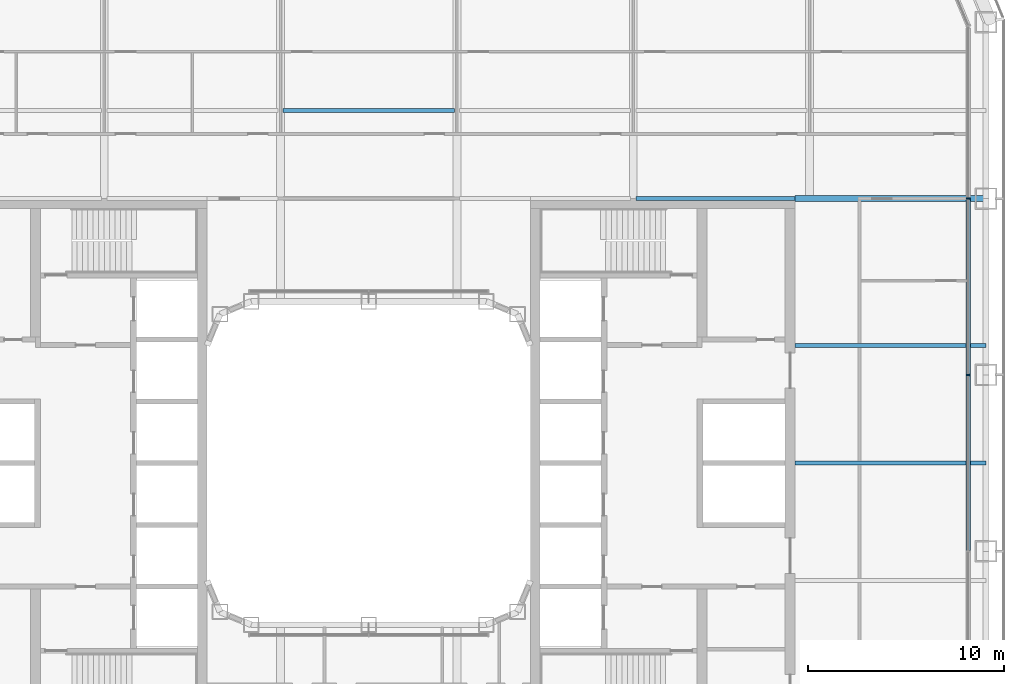
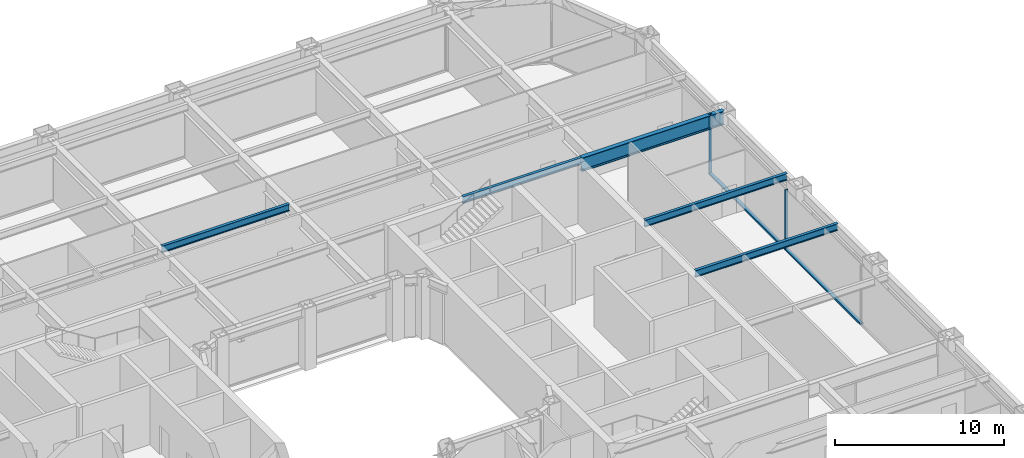
# One storey, part 9 of 29: 5 beams, 4 members, 1 element without a shape of its own.
"""IFC4 building model written with IfcOpenShell, lengths in metres."""

from ifc_helpers import new_model, si_unit, direction, frame, origin, origin_2d, place, context, subcontext, project, spatial, rectangle, i_section, extrude, material, layer, layer_set, material_profile, profile_set, type_object, element, aggregate, save


model = new_model("IFC4")

# Units and contexts
model_context = context("Model", 3, precision=1e-05, world=origin(), true_north=direction((0.0, 1.0)))
body_context = subcontext(model_context, "Body", "Model", "MODEL_VIEW")
ifc_project = project(units=[si_unit("LENGTHUNIT", "METRE"), si_unit("AREAUNIT", "SQUARE_METRE"), si_unit("VOLUMEUNIT", "CUBIC_METRE"), si_unit("PLANEANGLEUNIT", "RADIAN"), si_unit("MASSUNIT", "GRAM", prefix="KILO")], contexts=[model_context])

# Site, building, storey
site_placement = place(None, origin())
site = spatial("IfcSite", under=ifc_project, at=site_placement, CompositionType="ELEMENT")
building_placement = place(site_placement, origin())
building = spatial("IfcBuilding", under=site, at=building_placement, Name="Siwar Civic Tower", CompositionType="ELEMENT")
storey_placement = place(building_placement, frame((0.0, 0.0, 49.199951171875)))
storey = spatial("IfcBuildingStorey", under=building, at=storey_placement, Name="L10", CompositionType="ELEMENT", Elevation=49.199951171875)

# Curtain wall, members
ifc_material_1 = material(Name="Aluminium and glass", Category="aluminium")
ifc_layer = layer(ifc_material_1, 0.219970703125)
ifc_layer_set = layer_set([ifc_layer], Name="Aluminium and glass")
curtain_wall_type = type_object("IfcCurtainWallType", Name="ENV-CW-A", PredefinedType="NOTDEFINED", material=ifc_layer_set)
curtain_wall_placement = place(storey_placement, origin())
curtain_wall = element("IfcCurtainWall", 1, at=curtain_wall_placement, inside=storey, type_object=curtain_wall_type, Name="Curtain wall A E", PredefinedType="NOTDEFINED")
ifc_material_2 = material(Name="Aluminium 6063-T6", Category="aluminium")
ifc_material_profile_1 = material_profile(ifc_material_2, rectangle(XDim=0.219970703125, YDim=0.070068359375, at=origin_2d()), Name="AL 220x70")
ifc_profile_set_1 = profile_set([ifc_material_profile_1], Name="Aluminium 6063-T6")
member_type_1 = type_object("IfcMemberType", Name="ENV-MULLION-A", PredefinedType="MULLION", material=ifc_profile_set_1)
member_1_placement = place(storey_placement, frame((30.60009765625, 4.5, 0.0), z_axis=(0.0, 0.0, 1.0), x_axis=(-1.0, 0.0, 0.0)))
member_1 = element("IfcMember", 2, at=member_1_placement, type_object=member_type_1, Name="Mullion A E 4", PredefinedType="MULLION", context=body_context, shape_type="SweptSolid", body=[
    extrude(rectangle(XDim=0.219970703125, YDim=0.070068359375, at=origin_2d()), origin(), (0.0, 0.0, 1.0), 4.35009765625),
])
member_2_placement = place(storey_placement, frame((30.60009765625, 13.5, 0.0), z_axis=(0.0, 0.0, 1.0), x_axis=(-1.0, 0.0, 0.0)))
member_2 = element("IfcMember", 3, at=member_2_placement, type_object=member_type_1, Name="Mullion A E 5", PredefinedType="MULLION", context=body_context, shape_type="SweptSolid", body=[
    extrude(rectangle(XDim=0.219970703125, YDim=0.070068359375, at=origin_2d()), origin(), (0.0, 0.0, 1.0), 4.35009765625),
])
ifc_material_3 = material(Name="Aluminium 6063-T6", Category="aluminium")
ifc_material_profile_2 = material_profile(ifc_material_3, rectangle(XDim=0.219970703125, YDim=0.1201171875, at=origin_2d()), Name="AL 220x120")
ifc_profile_set_2 = profile_set([ifc_material_profile_2], Name="Aluminium 6063-T6")
member_type_2 = type_object("IfcMemberType", Name="ENV-TRANSOM-A", PredefinedType="USERDEFINED", material=ifc_profile_set_2)
member_3_placement = place(storey_placement, frame((30.60009765625, -4.465087890625, 0.06005859375), z_axis=(0.0, 1.0, 0.0), x_axis=(-1.0, 0.0, 0.0)))
member_3 = element("IfcMember", 4, at=member_3_placement, type_object=member_type_2, Name="Transom A E 3", ObjectType="TRANSOM", PredefinedType="USERDEFINED", context=body_context, shape_type="SweptSolid", body=[
    extrude(rectangle(XDim=0.219970703125, YDim=0.1201171875, at=origin_2d()), origin(), (0.0, 0.0, 1.0), 8.93017578125),
])
member_4_placement = place(storey_placement, frame((30.60009765625, 4.534912109375, 0.06005859375), z_axis=(0.0, 1.0, 0.0), x_axis=(-1.0, 0.0, 0.0)))
member_4 = element("IfcMember", 5, at=member_4_placement, type_object=member_type_2, Name="Transom A E 4", ObjectType="TRANSOM", PredefinedType="USERDEFINED", context=body_context, shape_type="SweptSolid", body=[
    extrude(rectangle(XDim=0.219970703125, YDim=0.1201171875, at=origin_2d()), origin(), (0.0, 0.0, 1.0), 8.93017578125),
])
aggregate(curtain_wall, [member_1, member_2, member_3, member_4])

# Beams
ifc_material_4 = material(Name="Steel S355", Category="steel")
ifc_material_profile_3 = material_profile(ifc_material_4, i_section(OverallWidth=0.199951171875, OverallDepth=0.5, WebThickness=0.01025390625, FlangeThickness=0.01611328125, FilletRadius=0.02099609375, at=origin_2d()), Name="IPE500")
ifc_profile_set_3 = profile_set([ifc_material_profile_3], Name="Steel S355")
beam_type_1 = type_object("IfcBeamType", Name="STR-FB-IPE500", PredefinedType="JOIST", material=ifc_profile_set_3)
for number, where, z_axis, x_axis, name in (
    (6, (21.75, 0.0, 4.10009765625), (1.0, 0.0, 0.0), (0.0, 1.0, 0.0), "L10/bm/F034"),
    (7, (21.75, 6.0, 4.10009765625), (1.0, 0.0, 0.0), (0.0, 1.0, 0.0), "L10/bm/F036"),
):
    element("IfcBeam", number, at=place(storey_placement, frame(where, z_axis=z_axis, x_axis=x_axis)), inside=storey, type_object=beam_type_1, Name=name, PredefinedType="JOIST", context=body_context, shape_type="SweptSolid", body=[
        extrude(i_section(OverallWidth=0.199951171875, OverallDepth=0.5, WebThickness=0.01025390625, FlangeThickness=0.01611328125, FilletRadius=0.02099609375, at=origin_2d()), origin(), (0.0, 0.0, 1.0), 9.75),
    ])
beam_1_placement = place(storey_placement, frame((13.6298828125, 13.5, 4.10009765625), z_axis=(1.0, 0.0, 0.0), x_axis=(0.0, 1.0, 0.0)))
element("IfcBeam", 8, at=beam_1_placement, inside=storey, type_object=beam_type_1, Name="L10/bm/F044", PredefinedType="JOIST", context=body_context, shape_type="SweptSolid", body=[
    extrude(i_section(OverallWidth=0.199951171875, OverallDepth=0.5, WebThickness=0.01025390625, FlangeThickness=0.01611328125, FilletRadius=0.02099609375, at=origin_2d()), origin(), (0.0, 0.0, 1.0), 8.1201171875),
])
beam_2_placement = place(storey_placement, frame((-4.3701171875, 18.0, 4.10009765625), z_axis=(1.0, 0.0, 0.0), x_axis=(0.0, 1.0, 0.0)))
element("IfcBeam", 9, at=beam_2_placement, inside=storey, type_object=beam_type_1, Name="L10/bm/F049", PredefinedType="JOIST", context=body_context, shape_type="SweptSolid", body=[
    extrude(i_section(OverallWidth=0.199951171875, OverallDepth=0.5, WebThickness=0.01025390625, FlangeThickness=0.01611328125, FilletRadius=0.02099609375, at=origin_2d()), origin(), (0.0, 0.0, 1.0), 8.740234375),
])
ifc_material_5 = material(Name="Steel S355", Category="steel")
ifc_material_profile_4 = material_profile(ifc_material_5, i_section(OverallWidth=0.300048828125, OverallDepth=1.0, WebThickness=0.01904296875, FlangeThickness=0.035888671875, FilletRadius=0.030029296875, at=origin_2d()), Name="HEB1000")
ifc_profile_set_4 = profile_set([ifc_material_profile_4], Name="Steel S355")
beam_type_2 = type_object("IfcBeamType", Name="STR-PG-HEB1000", PredefinedType="BEAM", material=ifc_profile_set_4)
beam_3_placement = place(storey_placement, frame((21.75, 13.5, 3.85009765625), z_axis=(1.0, 0.0, 0.0), x_axis=(0.0, 1.0, 0.0)))
element("IfcBeam", 10, at=beam_3_placement, inside=storey, type_object=beam_type_2, Name="L10/bm/F045", PredefinedType="BEAM", context=body_context, shape_type="SweptSolid", body=[
    extrude(i_section(OverallWidth=0.300048828125, OverallDepth=1.0, WebThickness=0.01904296875, FlangeThickness=0.035888671875, FilletRadius=0.030029296875, at=origin_2d()), origin(), (0.0, 0.0, 1.0), 9.75),
])

save(model, "model.ifc")
